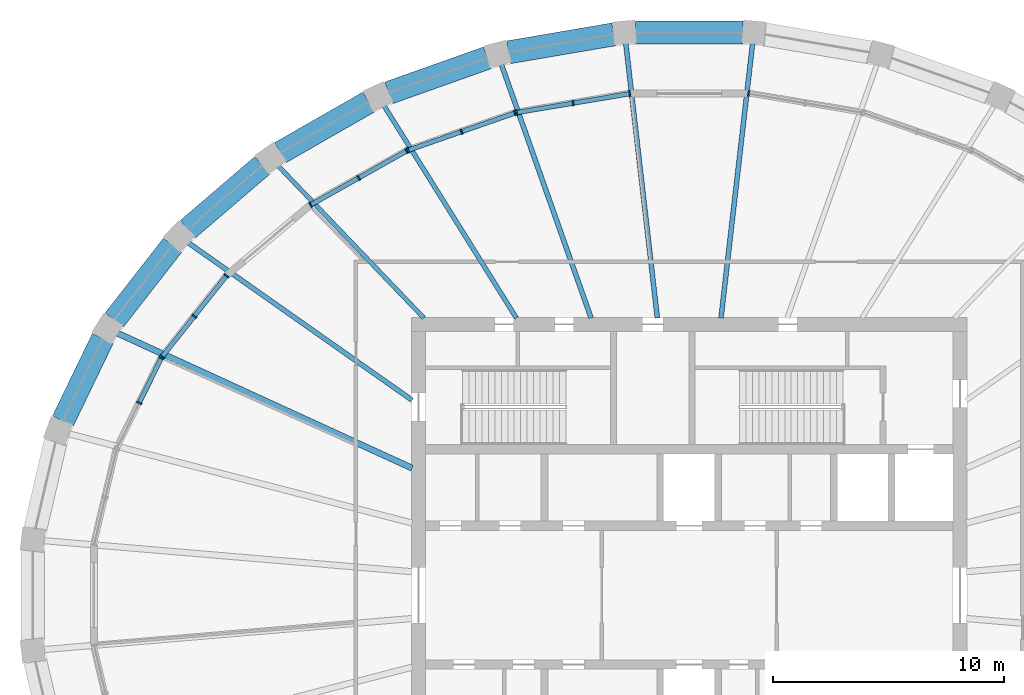
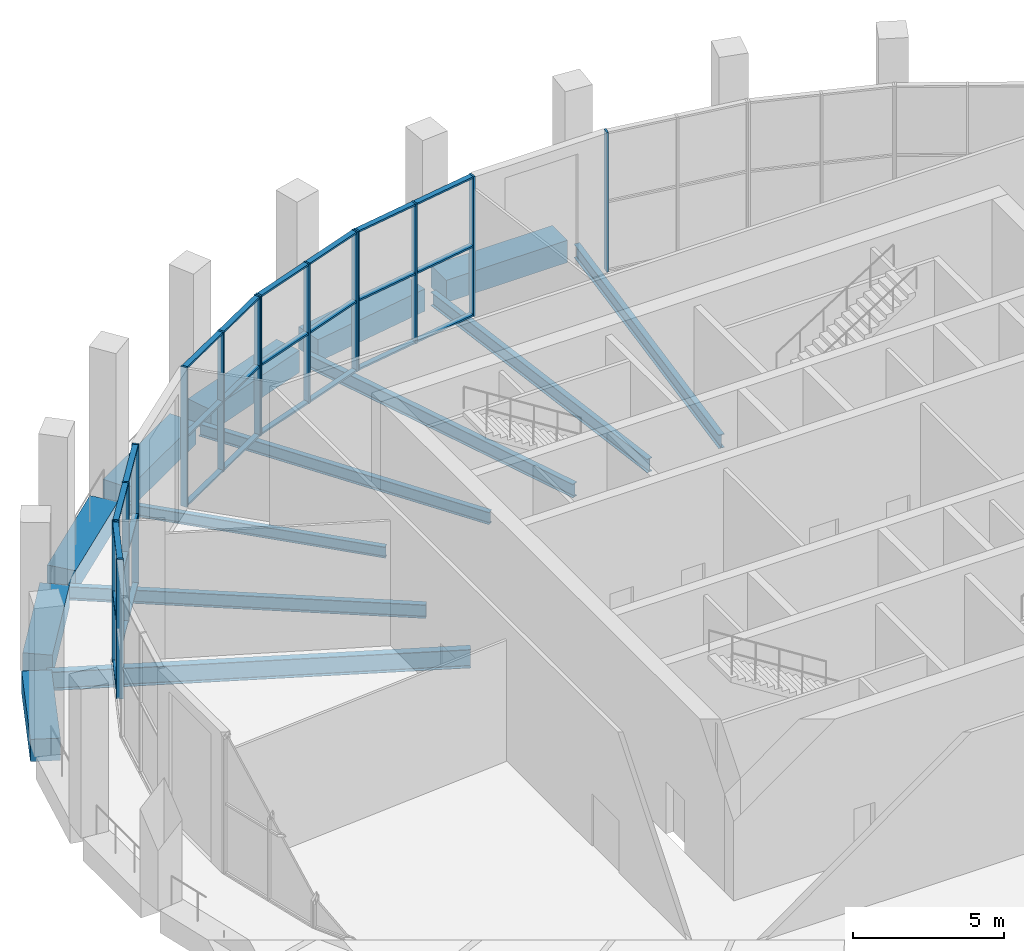
# One storey, part 6 of 15: 42 members, 14 beams, 6 elements without a shape of their own.
"""IFC4 building model written with IfcOpenShell, lengths in metres."""

from ifc_helpers import new_model, si_unit, direction, frame, origin, origin_2d, place, context, subcontext, project, spatial, rectangle, i_section, extrude, material, material_profile, profile_set, type_object, element, aggregate, save


model = new_model("IFC4")

# Units and contexts
model_context = context("Model", 3, precision=1e-05, world=origin(), true_north=direction((0.0, 1.0)))
body_context = subcontext(model_context, "Body", "Model", "MODEL_VIEW")
ifc_project = project(units=[si_unit("LENGTHUNIT", "METRE"), si_unit("AREAUNIT", "SQUARE_METRE"), si_unit("VOLUMEUNIT", "CUBIC_METRE"), si_unit("PLANEANGLEUNIT", "RADIAN"), si_unit("MASSUNIT", "GRAM", prefix="KILO")], contexts=[model_context])

# Site, building, storey
site_placement = place(None, origin())
site = spatial("IfcSite", under=ifc_project, at=site_placement, CompositionType="ELEMENT")
building_placement = place(site_placement, origin())
building = spatial("IfcBuilding", under=site, at=building_placement, Name="Halqa Exchange Tower", CompositionType="ELEMENT")
storey_placement = place(building_placement, frame((0.0, 0.0, 343.300048828125)))
storey = spatial("IfcBuildingStorey", under=building, at=storey_placement, Name="L80", CompositionType="ELEMENT", Elevation=343.300048828125)

# Beams
ifc_material_1 = material(Name="Steel S355", Category="steel")
ifc_material_profile_1 = material_profile(ifc_material_1, i_section(OverallWidth=0.18994140625, OverallDepth=0.449951171875, WebThickness=0.009521484375, FlangeThickness=0.0146484375, FilletRadius=0.02099609375, at=origin_2d()), Name="IPE 450")
ifc_profile_set_1 = profile_set([ifc_material_profile_1], Name="Steel S355")
beam_type_1 = type_object("IfcBeamType", Name="Floor beam IPE 450", PredefinedType="BEAM", material=ifc_profile_set_1)
beam_1_placement = place(storey_placement, frame((-11.462890625, 11.97216796875, -0.574951171875), z_axis=(-0.6915759213, 0.722303776175, 0.0), x_axis=(-0.722303776175, -0.6915759213, 0.0)))
element("IfcBeam", 1, at=beam_1_placement, inside=storey, type_object=beam_type_1, Name="Radial beam 12", PredefinedType="BEAM", context=body_context, shape_type="SweptSolid", body=[
    extrude(i_section(OverallWidth=0.18994140625, OverallDepth=0.449951171875, WebThickness=0.009521484375, FlangeThickness=0.0146484375, FilletRadius=0.02099609375, at=origin_2d()), origin(), (0.0, 0.0, 1.0), 9.192626953125),
])
ifc_material_profile_2 = material_profile(ifc_material_1, i_section(OverallWidth=0.199951171875, OverallDepth=0.5, WebThickness=0.01025390625, FlangeThickness=0.01611328125, FilletRadius=0.02099609375, at=origin_2d()), Name="IPE 500")
ifc_profile_set_2 = profile_set([ifc_material_profile_2], Name="Steel S355")
beam_type_2 = type_object("IfcBeamType", Name="Floor beam IPE 500", PredefinedType="BEAM", material=ifc_profile_set_2)
beam_2_placement = place(storey_placement, frame((-7.4658203125, 11.97216796875, -0.60009765625), z_axis=(-0.529137326003, 0.848536204431, 0.0), x_axis=(-0.848536204431, -0.529137326003, 0.0)))
element("IfcBeam", 2, at=beam_2_placement, inside=storey, type_object=beam_type_2, Name="Radial beam 11", PredefinedType="BEAM", context=body_context, shape_type="SweptSolid", body=[
    extrude(i_section(OverallWidth=0.199951171875, OverallDepth=0.5, WebThickness=0.01025390625, FlangeThickness=0.01611328125, FilletRadius=0.02099609375, at=origin_2d()), origin(), (0.0, 0.0, 1.0), 10.904541015625),
])
ifc_material_profile_3 = material_profile(ifc_material_1, i_section(OverallWidth=0.2099609375, OverallDepth=0.550048828125, WebThickness=0.010986328125, FlangeThickness=0.01708984375, FilletRadius=0.02392578125, at=origin_2d()), Name="IPE 550")
ifc_profile_set_3 = profile_set([ifc_material_profile_3], Name="Steel S355")
beam_type_3 = type_object("IfcBeamType", Name="Floor beam IPE 550", PredefinedType="BEAM", material=ifc_profile_set_3)
for number, where, z_axis, x_axis, name in (
    (3, (1.37548828125, 11.9716796875, -0.625), (0.114162628095, 0.993462074941, 0.0), (-0.993462074941, 0.114162628095, 0.0), "Radial beam 8"),
    (4, (-1.37548828125, 11.9716796875, -0.625), (-0.114162628095, 0.993462074941, 0.0), (-0.993462074941, -0.114162628095, 0.0), "Radial beam 9"),
):
    element("IfcBeam", number, at=place(storey_placement, frame(where, z_axis=z_axis, x_axis=x_axis)), inside=storey, type_object=beam_type_3, Name=name, PredefinedType="BEAM", context=body_context, shape_type="SweptSolid", body=[
        extrude(i_section(OverallWidth=0.2099609375, OverallDepth=0.550048828125, WebThickness=0.010986328125, FlangeThickness=0.01708984375, FilletRadius=0.02392578125, at=origin_2d()), origin(), (0.0, 0.0, 1.0), 12.048583984375),
    ])
beam_3_placement = place(storey_placement, frame((-4.23681640625, 11.971923828125, -0.625), z_axis=(-0.333622781905, 0.942706656067, 0.0), x_axis=(-0.942706656067, -0.333622781905, 0.0)))
element("IfcBeam", 5, at=beam_3_placement, inside=storey, type_object=beam_type_3, Name="Radial beam 10", PredefinedType="BEAM", context=body_context, shape_type="SweptSolid", body=[
    extrude(i_section(OverallWidth=0.2099609375, OverallDepth=0.550048828125, WebThickness=0.010986328125, FlangeThickness=0.01708984375, FilletRadius=0.02392578125, at=origin_2d()), origin(), (0.0, 0.0, 1.0), 11.723876953125),
])
beam_4_placement = place(storey_placement, frame((-11.97265625, 8.422119140625, -0.625), z_axis=(-0.817914568296, 0.57533969007, 0.0), x_axis=(-0.57533969007, -0.817914568296, 0.0)))
element("IfcBeam", 6, at=beam_4_placement, inside=storey, type_object=beam_type_3, Name="Radial beam 13", PredefinedType="BEAM", context=body_context, shape_type="SweptSolid", body=[
    extrude(i_section(OverallWidth=0.2099609375, OverallDepth=0.550048828125, WebThickness=0.010986328125, FlangeThickness=0.01708984375, FilletRadius=0.02392578125, at=origin_2d()), origin(), (0.0, 0.0, 1.0), 11.92138671875),
])
ifc_material_profile_4 = material_profile(ifc_material_1, i_section(OverallWidth=0.264892578125, OverallDepth=0.7529296875, WebThickness=0.01318359375, FlangeThickness=0.01708984375, FilletRadius=0.01708984375, at=origin_2d()), Name="IPE 750x147")
ifc_profile_set_4 = profile_set([ifc_material_profile_4], Name="Steel S355")
beam_type_4 = type_object("IfcBeamType", Name="Floor beam IPE 750x147", PredefinedType="BEAM", material=ifc_profile_set_4)
beam_5_placement = place(storey_placement, frame((-11.972412109375, 5.485107421875, -0.7265625), z_axis=(-0.909126834486, 0.416519385884, 0.0), x_axis=(-0.416519385884, -0.909126834486, 0.0)))
element("IfcBeam", 7, at=beam_5_placement, inside=storey, type_object=beam_type_4, Name="Radial beam 14", PredefinedType="BEAM", context=body_context, shape_type="SweptSolid", body=[
    extrude(i_section(OverallWidth=0.264892578125, OverallDepth=0.7529296875, WebThickness=0.01318359375, FlangeThickness=0.01708984375, FilletRadius=0.01708984375, at=origin_2d()), origin(), (0.0, 0.0, 1.0), 14.10205078125),
])

# Curtain wall, member
ifc_material_2 = material(Name="Anodised aluminium and clear glass", Category="aluminium")
curtain_wall_type = type_object("IfcCurtainWallType", Name="Observation deck glazing", PredefinedType="NOTDEFINED", material=ifc_material_2)
curtain_wall_1_placement = place(storey_placement, origin())
curtain_wall_1 = element("IfcCurtainWall", 8, at=curtain_wall_1_placement, inside=storey, type_object=curtain_wall_type, Name="Observation deck glazing run G7", PredefinedType="NOTDEFINED")
ifc_material_3 = material(Name="Anodised aluminium", Category="aluminium")
ifc_material_profile_5 = material_profile(ifc_material_3, rectangle(XDim=0.239990234375, YDim=0.070068359375, at=origin_2d()), Name="AL 70x240")
ifc_profile_set_5 = profile_set([ifc_material_profile_5], Name="Anodised aluminium")
member_type_1 = type_object("IfcMemberType", Name="Observation deck glazing mullion 70 x 240", PredefinedType="MULLION", material=ifc_profile_set_5)
member_1_placement = place(storey_placement, frame((2.56591796875, 21.668701171875, 0.0), z_axis=(0.0, 0.0, 1.0), x_axis=(-0.165117129007, -0.986273964834, 0.0)))
member_1 = element("IfcMember", 9, at=member_1_placement, type_object=member_type_1, Name="G7 mullion 3", PredefinedType="MULLION", context=body_context, shape_type="SweptSolid", body=[
    extrude(rectangle(XDim=0.239990234375, YDim=0.070068359375, at=origin_2d()), origin(), (0.0, 0.0, 1.0), 5.64990234375),
])
aggregate(curtain_wall_1, [member_1])

# Curtain wall, members
curtain_wall_2_placement = place(storey_placement, origin())
curtain_wall_2 = element("IfcCurtainWall", 10, at=curtain_wall_2_placement, inside=storey, type_object=curtain_wall_type, Name="Observation deck glazing run G9", PredefinedType="NOTDEFINED")
member_2_placement = place(storey_placement, frame((-2.56591796875, 21.668701171875, 0.0), z_axis=(0.0, 0.0, 1.0), x_axis=(0.165117129007, -0.986273964834, 0.0)))
member_2 = element("IfcMember", 11, at=member_2_placement, type_object=member_type_1, Name="G9 mullion 1", PredefinedType="MULLION", context=body_context, shape_type="SweptSolid", body=[
    extrude(rectangle(XDim=0.239990234375, YDim=0.070068359375, at=origin_2d()), origin(), (0.0, 0.0, 1.0), 5.64990234375),
])
member_3_placement = place(storey_placement, frame((-5.0146484375, 21.2587890625, 0.0), z_axis=(0.0, 0.0, 1.0), x_axis=(0.165117129007, -0.986273964834, 0.0)))
member_3 = element("IfcMember", 12, at=member_3_placement, type_object=member_type_1, Name="G9 mullion 2", PredefinedType="MULLION", context=body_context, shape_type="SweptSolid", body=[
    extrude(rectangle(XDim=0.239990234375, YDim=0.070068359375, at=origin_2d()), origin(), (0.0, 0.0, 1.0), 5.64990234375),
])
member_4_placement = place(storey_placement, frame((-7.463134765625, 20.848876953125, 0.0), z_axis=(0.0, 0.0, 1.0), x_axis=(0.165117129007, -0.986273964834, 0.0)))
member_4 = element("IfcMember", 13, at=member_4_placement, type_object=member_type_1, Name="G9 mullion 3", PredefinedType="MULLION", context=body_context, shape_type="SweptSolid", body=[
    extrude(rectangle(XDim=0.239990234375, YDim=0.070068359375, at=origin_2d()), origin(), (0.0, 0.0, 1.0), 5.64990234375),
])

curtain_wall_3_placement = place(storey_placement, origin())
curtain_wall_3 = element("IfcCurtainWall", 14, at=curtain_wall_3_placement, inside=storey, type_object=curtain_wall_type, Name="Observation deck glazing run G10", PredefinedType="NOTDEFINED")
member_5_placement = place(storey_placement, frame((-7.53076171875, 20.83154296875, 0.0), z_axis=(0.0, 0.0, 1.0), x_axis=(0.329160021888, -0.9442741551, 0.0)))
member_5 = element("IfcMember", 15, at=member_5_placement, type_object=member_type_1, Name="G10 mullion 1", PredefinedType="MULLION", context=body_context, shape_type="SweptSolid", body=[
    extrude(rectangle(XDim=0.239990234375, YDim=0.070068359375, at=origin_2d()), origin(), (0.0, 0.0, 1.0), 5.64990234375),
])
member_6_placement = place(storey_placement, frame((-9.837158203125, 20.027587890625, 0.0), z_axis=(0.0, 0.0, 1.0), x_axis=(0.329160021888, -0.9442741551, 0.0)))
member_6 = element("IfcMember", 16, at=member_6_placement, type_object=member_type_1, Name="G10 mullion 2", PredefinedType="MULLION", context=body_context, shape_type="SweptSolid", body=[
    extrude(rectangle(XDim=0.239990234375, YDim=0.070068359375, at=origin_2d()), origin(), (0.0, 0.0, 1.0), 5.64990234375),
])
member_7_placement = place(storey_placement, frame((-12.143798828125, 19.2236328125, 0.0), z_axis=(0.0, 0.0, 1.0), x_axis=(0.329160021888, -0.9442741551, 0.0)))
member_7 = element("IfcMember", 17, at=member_7_placement, type_object=member_type_1, Name="G10 mullion 3", PredefinedType="MULLION", context=body_context, shape_type="SweptSolid", body=[
    extrude(rectangle(XDim=0.239990234375, YDim=0.070068359375, at=origin_2d()), origin(), (0.0, 0.0, 1.0), 5.64990234375),
])

curtain_wall_4_placement = place(storey_placement, origin())
curtain_wall_4 = element("IfcCurtainWall", 18, at=curtain_wall_4_placement, inside=storey, type_object=curtain_wall_type, Name="Observation deck glazing run G11", PredefinedType="NOTDEFINED")
member_8_placement = place(storey_placement, frame((-12.207275390625, 19.19482421875, 0.0), z_axis=(0.0, 0.0, 1.0), x_axis=(0.490158094997, -0.871633547948, 0.0)))
member_8 = element("IfcMember", 19, at=member_8_placement, type_object=member_type_1, Name="G11 mullion 1", PredefinedType="MULLION", context=body_context, shape_type="SweptSolid", body=[
    extrude(rectangle(XDim=0.239990234375, YDim=0.070068359375, at=origin_2d()), origin(), (0.0, 0.0, 1.0), 5.64990234375),
])
member_9_placement = place(storey_placement, frame((-14.283203125, 18.02734375, 0.0), z_axis=(0.0, 0.0, 1.0), x_axis=(0.490158094997, -0.871633547948, 0.0)))
member_9 = element("IfcMember", 20, at=member_9_placement, type_object=member_type_1, Name="G11 mullion 2", PredefinedType="MULLION", context=body_context, shape_type="SweptSolid", body=[
    extrude(rectangle(XDim=0.239990234375, YDim=0.070068359375, at=origin_2d()), origin(), (0.0, 0.0, 1.0), 5.64990234375),
])
member_10_placement = place(storey_placement, frame((-16.359130859375, 16.860107421875, 0.0), z_axis=(0.0, 0.0, 1.0), x_axis=(0.490158094997, -0.871633547948, 0.0)))
member_10 = element("IfcMember", 21, at=member_10_placement, type_object=member_type_1, Name="G11 mullion 3", PredefinedType="MULLION", context=body_context, shape_type="SweptSolid", body=[
    extrude(rectangle(XDim=0.239990234375, YDim=0.070068359375, at=origin_2d()), origin(), (0.0, 0.0, 1.0), 5.64990234375),
])

curtain_wall_5_placement = place(storey_placement, origin())
curtain_wall_5 = element("IfcCurtainWall", 22, at=curtain_wall_5_placement, inside=storey, type_object=curtain_wall_type, Name="Observation deck glazing run G13", PredefinedType="NOTDEFINED")
member_11_placement = place(storey_placement, frame((-19.996337890625, 13.798583984375, 0.0), z_axis=(0.0, 0.0, 1.0), x_axis=(0.783162355834, -0.621817275737, 0.0)))
member_11 = element("IfcMember", 23, at=member_11_placement, type_object=member_type_1, Name="G13 mullion 1", PredefinedType="MULLION", context=body_context, shape_type="SweptSolid", body=[
    extrude(rectangle(XDim=0.239990234375, YDim=0.070068359375, at=origin_2d()), origin(), (0.0, 0.0, 1.0), 5.64990234375),
])
member_12_placement = place(storey_placement, frame((-21.3837890625, 12.05126953125, 0.0), z_axis=(0.0, 0.0, 1.0), x_axis=(0.783162355834, -0.621817275737, 0.0)))
member_12 = element("IfcMember", 24, at=member_12_placement, type_object=member_type_1, Name="G13 mullion 2", PredefinedType="MULLION", context=body_context, shape_type="SweptSolid", body=[
    extrude(rectangle(XDim=0.239990234375, YDim=0.070068359375, at=origin_2d()), origin(), (0.0, 0.0, 1.0), 5.64990234375),
])
member_13_placement = place(storey_placement, frame((-22.771240234375, 10.3037109375, 0.0), z_axis=(0.0, 0.0, 1.0), x_axis=(0.783162355834, -0.621817275737, 0.0)))
member_13 = element("IfcMember", 25, at=member_13_placement, type_object=member_type_1, Name="G13 mullion 3", PredefinedType="MULLION", context=body_context, shape_type="SweptSolid", body=[
    extrude(rectangle(XDim=0.239990234375, YDim=0.070068359375, at=origin_2d()), origin(), (0.0, 0.0, 1.0), 5.64990234375),
])

curtain_wall_6_placement = place(storey_placement, origin())
curtain_wall_6 = element("IfcCurtainWall", 26, at=curtain_wall_6_placement, inside=storey, type_object=curtain_wall_type, Name="Observation deck glazing run G14", PredefinedType="NOTDEFINED")
member_14_placement = place(storey_placement, frame((-22.808349609375, 10.2451171875, 0.0), z_axis=(0.0, 0.0, 1.0), x_axis=(0.897214741349, -0.441594506199, 0.0)))
member_14 = element("IfcMember", 27, at=member_14_placement, type_object=member_type_1, Name="G14 mullion 1", PredefinedType="MULLION", context=body_context, shape_type="SweptSolid", body=[
    extrude(rectangle(XDim=0.239990234375, YDim=0.070068359375, at=origin_2d()), origin(), (0.0, 0.0, 1.0), 5.64990234375),
])
member_15_placement = place(storey_placement, frame((-23.76416015625, 8.302978515625, 0.0), z_axis=(0.0, 0.0, 1.0), x_axis=(0.897214741349, -0.441594506199, 0.0)))
member_15 = element("IfcMember", 28, at=member_15_placement, type_object=member_type_1, Name="G14 mullion 2", PredefinedType="MULLION", context=body_context, shape_type="SweptSolid", body=[
    extrude(rectangle(XDim=0.239990234375, YDim=0.070068359375, at=origin_2d()), origin(), (0.0, 0.0, 1.0), 5.64990234375),
])

# Member
ifc_material_profile_6 = material_profile(ifc_material_3, rectangle(XDim=0.199951171875, YDim=0.070068359375, at=origin_2d()), Name="AL 70x200")
ifc_profile_set_6 = profile_set([ifc_material_profile_6], Name="Anodised aluminium")
member_type_2 = type_object("IfcMemberType", Name="Observation deck glazing transom 70 x 200", PredefinedType="USERDEFINED", material=ifc_profile_set_6)
member_16_placement = place(storey_placement, frame((-2.6005859375, 21.662841796875, 0.034912109375), z_axis=(-0.986284301217, -0.165055376081, 0.0), x_axis=(0.165055376081, -0.986284301217, 0.0)))
member_16 = element("IfcMember", 29, at=member_16_placement, type_object=member_type_2, Name="G9 transom 1.1", ObjectType="TRANSOM", PredefinedType="USERDEFINED", context=body_context, shape_type="SweptSolid", body=[
    extrude(rectangle(XDim=0.199951171875, YDim=0.070068359375, at=origin_2d()), origin(), (0.0, 0.0, 1.0), 2.41259765625),
])

member_17_placement = place(storey_placement, frame((-2.6005859375, 21.662841796875, 2.824951171875), z_axis=(-0.986284301217, -0.165055376081, 0.0), x_axis=(0.165055376081, -0.986284301217, 0.0)))
member_17 = element("IfcMember", 30, at=member_17_placement, type_object=member_type_2, Name="G9 transom 1.2", ObjectType="TRANSOM", PredefinedType="USERDEFINED", context=body_context, shape_type="SweptSolid", body=[
    extrude(rectangle(XDim=0.199951171875, YDim=0.070068359375, at=origin_2d()), origin(), (0.0, 0.0, 1.0), 2.41259765625),
])

member_18_placement = place(storey_placement, frame((-2.6005859375, 21.662841796875, 5.614990234375), z_axis=(-0.986284301217, -0.165055376081, 0.0), x_axis=(0.165055376081, -0.986284301217, 0.0)))
member_18 = element("IfcMember", 31, at=member_18_placement, type_object=member_type_2, Name="G9 transom 1.3", ObjectType="TRANSOM", PredefinedType="USERDEFINED", context=body_context, shape_type="SweptSolid", body=[
    extrude(rectangle(XDim=0.199951171875, YDim=0.070068359375, at=origin_2d()), origin(), (0.0, 0.0, 1.0), 2.41259765625),
])

member_19_placement = place(storey_placement, frame((-5.049072265625, 21.2529296875, 0.034912109375), z_axis=(-0.986284301217, -0.165055376081, 0.0), x_axis=(0.165055376081, -0.986284301217, 0.0)))
member_19 = element("IfcMember", 32, at=member_19_placement, type_object=member_type_2, Name="G9 transom 2.1", ObjectType="TRANSOM", PredefinedType="USERDEFINED", context=body_context, shape_type="SweptSolid", body=[
    extrude(rectangle(XDim=0.199951171875, YDim=0.070068359375, at=origin_2d()), origin(), (0.0, 0.0, 1.0), 2.41259765625),
])

member_20_placement = place(storey_placement, frame((-5.049072265625, 21.2529296875, 2.824951171875), z_axis=(-0.986284301217, -0.165055376081, 0.0), x_axis=(0.165055376081, -0.986284301217, 0.0)))
member_20 = element("IfcMember", 33, at=member_20_placement, type_object=member_type_2, Name="G9 transom 2.2", ObjectType="TRANSOM", PredefinedType="USERDEFINED", context=body_context, shape_type="SweptSolid", body=[
    extrude(rectangle(XDim=0.199951171875, YDim=0.070068359375, at=origin_2d()), origin(), (0.0, 0.0, 1.0), 2.41259765625),
])

member_21_placement = place(storey_placement, frame((-5.049072265625, 21.2529296875, 5.614990234375), z_axis=(-0.986284301217, -0.165055376081, 0.0), x_axis=(0.165055376081, -0.986284301217, 0.0)))
member_21 = element("IfcMember", 34, at=member_21_placement, type_object=member_type_2, Name="G9 transom 2.3", ObjectType="TRANSOM", PredefinedType="USERDEFINED", context=body_context, shape_type="SweptSolid", body=[
    extrude(rectangle(XDim=0.199951171875, YDim=0.070068359375, at=origin_2d()), origin(), (0.0, 0.0, 1.0), 2.41259765625),
])

aggregate(curtain_wall_2, [member_2, member_3, member_4, member_16, member_17, member_18, member_19, member_20, member_21])

member_22_placement = place(storey_placement, frame((-7.563720703125, 20.820068359375, 0.034912109375), z_axis=(-0.944273088174, -0.329163082605, 0.0), x_axis=(0.329163082605, -0.944273088174, 0.0)))
member_22 = element("IfcMember", 35, at=member_22_placement, type_object=member_type_2, Name="G10 transom 1.1", ObjectType="TRANSOM", PredefinedType="USERDEFINED", context=body_context, shape_type="SweptSolid", body=[
    extrude(rectangle(XDim=0.199951171875, YDim=0.070068359375, at=origin_2d()), origin(), (0.0, 0.0, 1.0), 2.372802734375),
])

member_23_placement = place(storey_placement, frame((-7.563720703125, 20.820068359375, 2.824951171875), z_axis=(-0.944273088174, -0.329163082605, 0.0), x_axis=(0.329163082605, -0.944273088174, 0.0)))
member_23 = element("IfcMember", 36, at=member_23_placement, type_object=member_type_2, Name="G10 transom 1.2", ObjectType="TRANSOM", PredefinedType="USERDEFINED", context=body_context, shape_type="SweptSolid", body=[
    extrude(rectangle(XDim=0.199951171875, YDim=0.070068359375, at=origin_2d()), origin(), (0.0, 0.0, 1.0), 2.372802734375),
])

member_24_placement = place(storey_placement, frame((-7.563720703125, 20.820068359375, 5.614990234375), z_axis=(-0.944273088174, -0.329163082605, 0.0), x_axis=(0.329163082605, -0.944273088174, 0.0)))
member_24 = element("IfcMember", 37, at=member_24_placement, type_object=member_type_2, Name="G10 transom 1.3", ObjectType="TRANSOM", PredefinedType="USERDEFINED", context=body_context, shape_type="SweptSolid", body=[
    extrude(rectangle(XDim=0.199951171875, YDim=0.070068359375, at=origin_2d()), origin(), (0.0, 0.0, 1.0), 2.372802734375),
])

member_25_placement = place(storey_placement, frame((-9.870361328125, 20.01611328125, 0.034912109375), z_axis=(-0.94426193798, -0.329195067524, 0.0), x_axis=(0.329195067524, -0.94426193798, 0.0)))
member_25 = element("IfcMember", 38, at=member_25_placement, type_object=member_type_2, Name="G10 transom 2.1", ObjectType="TRANSOM", PredefinedType="USERDEFINED", context=body_context, shape_type="SweptSolid", body=[
    extrude(rectangle(XDim=0.199951171875, YDim=0.070068359375, at=origin_2d()), origin(), (0.0, 0.0, 1.0), 2.37255859375),
])

member_26_placement = place(storey_placement, frame((-9.870361328125, 20.01611328125, 2.824951171875), z_axis=(-0.94426193798, -0.329195067524, 0.0), x_axis=(0.329195067524, -0.94426193798, 0.0)))
member_26 = element("IfcMember", 39, at=member_26_placement, type_object=member_type_2, Name="G10 transom 2.2", ObjectType="TRANSOM", PredefinedType="USERDEFINED", context=body_context, shape_type="SweptSolid", body=[
    extrude(rectangle(XDim=0.199951171875, YDim=0.070068359375, at=origin_2d()), origin(), (0.0, 0.0, 1.0), 2.37255859375),
])

member_27_placement = place(storey_placement, frame((-9.870361328125, 20.01611328125, 5.614990234375), z_axis=(-0.94426193798, -0.329195067524, 0.0), x_axis=(0.329195067524, -0.94426193798, 0.0)))
member_27 = element("IfcMember", 40, at=member_27_placement, type_object=member_type_2, Name="G10 transom 2.3", ObjectType="TRANSOM", PredefinedType="USERDEFINED", context=body_context, shape_type="SweptSolid", body=[
    extrude(rectangle(XDim=0.199951171875, YDim=0.070068359375, at=origin_2d()), origin(), (0.0, 0.0, 1.0), 2.37255859375),
])

aggregate(curtain_wall_3, [member_5, member_6, member_7, member_22, member_23, member_24, member_25, member_26, member_27])

member_28_placement = place(storey_placement, frame((-12.23779296875, 19.177734375, 0.034912109375), z_axis=(-0.871634762518, -0.490155935157, 0.0), x_axis=(0.490155935157, -0.871634762518, 0.0)))
member_28 = element("IfcMember", 41, at=member_28_placement, type_object=member_type_2, Name="G11 transom 1.1", ObjectType="TRANSOM", PredefinedType="USERDEFINED", context=body_context, shape_type="SweptSolid", body=[
    extrude(rectangle(XDim=0.199951171875, YDim=0.070068359375, at=origin_2d()), origin(), (0.0, 0.0, 1.0), 2.3115234375),
])

member_29_placement = place(storey_placement, frame((-12.23779296875, 19.177734375, 2.824951171875), z_axis=(-0.871634762518, -0.490155935157, 0.0), x_axis=(0.490155935157, -0.871634762518, 0.0)))
member_29 = element("IfcMember", 42, at=member_29_placement, type_object=member_type_2, Name="G11 transom 1.2", ObjectType="TRANSOM", PredefinedType="USERDEFINED", context=body_context, shape_type="SweptSolid", body=[
    extrude(rectangle(XDim=0.199951171875, YDim=0.070068359375, at=origin_2d()), origin(), (0.0, 0.0, 1.0), 2.3115234375),
])

member_30_placement = place(storey_placement, frame((-12.23779296875, 19.177734375, 5.614990234375), z_axis=(-0.871634762518, -0.490155935157, 0.0), x_axis=(0.490155935157, -0.871634762518, 0.0)))
member_30 = element("IfcMember", 43, at=member_30_placement, type_object=member_type_2, Name="G11 transom 1.3", ObjectType="TRANSOM", PredefinedType="USERDEFINED", context=body_context, shape_type="SweptSolid", body=[
    extrude(rectangle(XDim=0.199951171875, YDim=0.070068359375, at=origin_2d()), origin(), (0.0, 0.0, 1.0), 2.3115234375),
])

member_31_placement = place(storey_placement, frame((-14.313720703125, 18.01025390625, 0.034912109375), z_axis=(-0.871634762518, -0.490155935157, 0.0), x_axis=(0.490155935157, -0.871634762518, 0.0)))
member_31 = element("IfcMember", 44, at=member_31_placement, type_object=member_type_2, Name="G11 transom 2.1", ObjectType="TRANSOM", PredefinedType="USERDEFINED", context=body_context, shape_type="SweptSolid", body=[
    extrude(rectangle(XDim=0.199951171875, YDim=0.070068359375, at=origin_2d()), origin(), (0.0, 0.0, 1.0), 2.3115234375),
])

member_32_placement = place(storey_placement, frame((-14.313720703125, 18.01025390625, 2.824951171875), z_axis=(-0.871634762518, -0.490155935157, 0.0), x_axis=(0.490155935157, -0.871634762518, 0.0)))
member_32 = element("IfcMember", 45, at=member_32_placement, type_object=member_type_2, Name="G11 transom 2.2", ObjectType="TRANSOM", PredefinedType="USERDEFINED", context=body_context, shape_type="SweptSolid", body=[
    extrude(rectangle(XDim=0.199951171875, YDim=0.070068359375, at=origin_2d()), origin(), (0.0, 0.0, 1.0), 2.3115234375),
])

member_33_placement = place(storey_placement, frame((-14.313720703125, 18.01025390625, 5.614990234375), z_axis=(-0.871634762518, -0.490155935157, 0.0), x_axis=(0.490155935157, -0.871634762518, 0.0)))
member_33 = element("IfcMember", 46, at=member_33_placement, type_object=member_type_2, Name="G11 transom 2.3", ObjectType="TRANSOM", PredefinedType="USERDEFINED", context=body_context, shape_type="SweptSolid", body=[
    extrude(rectangle(XDim=0.199951171875, YDim=0.070068359375, at=origin_2d()), origin(), (0.0, 0.0, 1.0), 2.3115234375),
])

aggregate(curtain_wall_4, [member_8, member_9, member_10, member_28, member_29, member_30, member_31, member_32, member_33])

member_34_placement = place(storey_placement, frame((-20.01806640625, 13.771240234375, 0.034912109375), z_axis=(-0.621770069229, -0.78319983466, 0.0), x_axis=(0.78319983466, -0.621770069229, 0.0)))
member_34 = element("IfcMember", 47, at=member_34_placement, type_object=member_type_2, Name="G13 transom 1.1", ObjectType="TRANSOM", PredefinedType="USERDEFINED", context=body_context, shape_type="SweptSolid", body=[
    extrude(rectangle(XDim=0.199951171875, YDim=0.070068359375, at=origin_2d()), origin(), (0.0, 0.0, 1.0), 2.1611328125),
])

member_35_placement = place(storey_placement, frame((-20.01806640625, 13.771240234375, 2.824951171875), z_axis=(-0.621770069229, -0.78319983466, 0.0), x_axis=(0.78319983466, -0.621770069229, 0.0)))
member_35 = element("IfcMember", 48, at=member_35_placement, type_object=member_type_2, Name="G13 transom 1.2", ObjectType="TRANSOM", PredefinedType="USERDEFINED", context=body_context, shape_type="SweptSolid", body=[
    extrude(rectangle(XDim=0.199951171875, YDim=0.070068359375, at=origin_2d()), origin(), (0.0, 0.0, 1.0), 2.1611328125),
])

member_36_placement = place(storey_placement, frame((-20.01806640625, 13.771240234375, 5.614990234375), z_axis=(-0.621770069229, -0.78319983466, 0.0), x_axis=(0.78319983466, -0.621770069229, 0.0)))
member_36 = element("IfcMember", 49, at=member_36_placement, type_object=member_type_2, Name="G13 transom 1.3", ObjectType="TRANSOM", PredefinedType="USERDEFINED", context=body_context, shape_type="SweptSolid", body=[
    extrude(rectangle(XDim=0.199951171875, YDim=0.070068359375, at=origin_2d()), origin(), (0.0, 0.0, 1.0), 2.1611328125),
])

member_37_placement = place(storey_placement, frame((-21.405517578125, 12.02392578125, 0.034912109375), z_axis=(-0.621770069229, -0.78319983466, 0.0), x_axis=(0.78319983466, -0.621770069229, 0.0)))
member_37 = element("IfcMember", 50, at=member_37_placement, type_object=member_type_2, Name="G13 transom 2.1", ObjectType="TRANSOM", PredefinedType="USERDEFINED", context=body_context, shape_type="SweptSolid", body=[
    extrude(rectangle(XDim=0.199951171875, YDim=0.070068359375, at=origin_2d()), origin(), (0.0, 0.0, 1.0), 2.1611328125),
])

member_38_placement = place(storey_placement, frame((-21.405517578125, 12.02392578125, 2.824951171875), z_axis=(-0.621770069229, -0.78319983466, 0.0), x_axis=(0.78319983466, -0.621770069229, 0.0)))
member_38 = element("IfcMember", 51, at=member_38_placement, type_object=member_type_2, Name="G13 transom 2.2", ObjectType="TRANSOM", PredefinedType="USERDEFINED", context=body_context, shape_type="SweptSolid", body=[
    extrude(rectangle(XDim=0.199951171875, YDim=0.070068359375, at=origin_2d()), origin(), (0.0, 0.0, 1.0), 2.1611328125),
])

member_39_placement = place(storey_placement, frame((-21.405517578125, 12.02392578125, 5.614990234375), z_axis=(-0.621770069229, -0.78319983466, 0.0), x_axis=(0.78319983466, -0.621770069229, 0.0)))
member_39 = element("IfcMember", 52, at=member_39_placement, type_object=member_type_2, Name="G13 transom 2.3", ObjectType="TRANSOM", PredefinedType="USERDEFINED", context=body_context, shape_type="SweptSolid", body=[
    extrude(rectangle(XDim=0.199951171875, YDim=0.070068359375, at=origin_2d()), origin(), (0.0, 0.0, 1.0), 2.1611328125),
])

aggregate(curtain_wall_5, [member_11, member_12, member_13, member_34, member_35, member_36, member_37, member_38, member_39])

member_40_placement = place(storey_placement, frame((-22.82373046875, 10.213623046875, 0.034912109375), z_axis=(-0.441656599677, -0.89718417728, 0.0), x_axis=(0.89718417728, -0.441656599677, 0.0)))
member_40 = element("IfcMember", 53, at=member_40_placement, type_object=member_type_2, Name="G14 transom 1.1", ObjectType="TRANSOM", PredefinedType="USERDEFINED", context=body_context, shape_type="SweptSolid", body=[
    extrude(rectangle(XDim=0.199951171875, YDim=0.070068359375, at=origin_2d()), origin(), (0.0, 0.0, 1.0), 2.094482421875),
])

member_41_placement = place(storey_placement, frame((-22.82373046875, 10.213623046875, 2.824951171875), z_axis=(-0.441656599677, -0.89718417728, 0.0), x_axis=(0.89718417728, -0.441656599677, 0.0)))
member_41 = element("IfcMember", 54, at=member_41_placement, type_object=member_type_2, Name="G14 transom 1.2", ObjectType="TRANSOM", PredefinedType="USERDEFINED", context=body_context, shape_type="SweptSolid", body=[
    extrude(rectangle(XDim=0.199951171875, YDim=0.070068359375, at=origin_2d()), origin(), (0.0, 0.0, 1.0), 2.094482421875),
])

member_42_placement = place(storey_placement, frame((-22.82373046875, 10.213623046875, 5.614990234375), z_axis=(-0.441656599677, -0.89718417728, 0.0), x_axis=(0.89718417728, -0.441656599677, 0.0)))
member_42 = element("IfcMember", 55, at=member_42_placement, type_object=member_type_2, Name="G14 transom 1.3", ObjectType="TRANSOM", PredefinedType="USERDEFINED", context=body_context, shape_type="SweptSolid", body=[
    extrude(rectangle(XDim=0.199951171875, YDim=0.070068359375, at=origin_2d()), origin(), (0.0, 0.0, 1.0), 2.094482421875),
])

aggregate(curtain_wall_6, [member_14, member_15, member_40, member_41, member_42])

# Beams
ifc_material_4 = material(Name="Concrete C60/75", Category="concrete")
ifc_material_profile_7 = material_profile(ifc_material_4, rectangle(XDim=1.0, YDim=0.89990234375, at=origin_2d()), Name="1000 x 900")
ifc_profile_set_7 = profile_set([ifc_material_profile_7], Name="Concrete C60/75")
beam_type_5 = type_object("IfcBeamType", Name="RC spandrel beam 1000 x 900 C60/75", PredefinedType="SPANDREL", material=ifc_profile_set_7)
beam_6_placement = place(storey_placement, frame((2.319580078125, 24.31103515625, -0.449951171875), z_axis=(-1.0, 0.0, 0.0), x_axis=(0.0, -1.0, 0.0)))
element("IfcBeam", 56, at=beam_6_placement, inside=storey, type_object=beam_type_5, Name="Spandrel 8", PredefinedType="SPANDREL", context=body_context, shape_type="SweptSolid", body=[
    extrude(rectangle(XDim=1.0, YDim=0.89990234375, at=origin_2d()), origin(), (0.0, 0.0, 1.0), 4.63916015625),
])
beam_7_placement = place(storey_placement, frame((-3.2607421875, 24.231201171875, -0.449951171875), z_axis=(-0.985773042695, -0.168081849987, 0.0), x_axis=(0.168081849987, -0.985773042695, 0.0)))
element("IfcBeam", 57, at=beam_7_placement, inside=storey, type_object=beam_type_5, Name="Spandrel 9", PredefinedType="SPANDREL", context=body_context, shape_type="SweptSolid", body=[
    extrude(rectangle(XDim=1.0, YDim=0.89990234375, at=origin_2d()), origin(), (0.0, 0.0, 1.0), 4.6103515625),
])
beam_8_placement = place(storey_placement, frame((-8.718994140625, 23.218505859375, -0.449951171875), z_axis=(-0.94236088808, -0.334598201755, 0.0), x_axis=(0.334598201755, -0.94236088808, 0.0)))
element("IfcBeam", 58, at=beam_8_placement, inside=storey, type_object=beam_type_5, Name="Spandrel 10", PredefinedType="SPANDREL", context=body_context, shape_type="SweptSolid", body=[
    extrude(rectangle(XDim=1.0, YDim=0.89990234375, at=origin_2d()), origin(), (0.0, 0.0, 1.0), 4.530517578125),
])
beam_9_placement = place(storey_placement, frame((-13.8466796875, 21.30810546875, -0.449951171875), z_axis=(-0.86778573249, -0.49693855001, 0.0), x_axis=(0.49693855001, -0.86778573249, 0.0)))
element("IfcBeam", 59, at=beam_9_placement, inside=storey, type_object=beam_type_5, Name="Spandrel 11", PredefinedType="SPANDREL", context=body_context, shape_type="SweptSolid", body=[
    extrude(rectangle(XDim=1.0, YDim=0.89990234375, at=origin_2d()), origin(), (0.0, 0.0, 1.0), 4.40478515625),
])
beam_10_placement = place(storey_placement, frame((-18.44091796875, 18.574462890625, -0.449951171875), z_axis=(-0.759232294843, -0.65081973116, 0.0), x_axis=(0.65081973116, -0.759232294843, 0.0)))
element("IfcBeam", 60, at=beam_10_placement, inside=storey, type_object=beam_type_5, Name="Spandrel 12", PredefinedType="SPANDREL", context=body_context, shape_type="SweptSolid", body=[
    extrude(rectangle(XDim=1.0, YDim=0.89990234375, at=origin_2d()), origin(), (0.0, 0.0, 1.0), 4.25390625),
])
beam_11_placement = place(storey_placement, frame((-22.322021484375, 15.123779296875, -0.449951171875), z_axis=(-0.61480594236, -0.788678421943, 0.0), x_axis=(0.788678421943, -0.61480594236, 0.0)))
element("IfcBeam", 61, at=beam_11_placement, inside=storey, type_object=beam_type_5, Name="Spandrel 13", PredefinedType="SPANDREL", context=body_context, shape_type="SweptSolid", body=[
    extrude(rectangle(XDim=1.0, YDim=0.89990234375, at=origin_2d()), origin(), (0.0, 0.0, 1.0), 4.10009765625),
])
beam_12_placement = place(storey_placement, frame((-25.34130859375, 11.088623046875, -0.449951171875), z_axis=(-0.43505216676, -0.900405248873, 0.0), x_axis=(0.900405248873, -0.43505216676, 0.0)))
element("IfcBeam", 62, at=beam_12_placement, inside=storey, type_object=beam_type_5, Name="Spandrel 14", PredefinedType="SPANDREL", context=body_context, shape_type="SweptSolid", body=[
    extrude(rectangle(XDim=1.0, YDim=0.89990234375, at=origin_2d()), origin(), (0.0, 0.0, 1.0), 3.964111328125),
])

save(model, "model.ifc")
